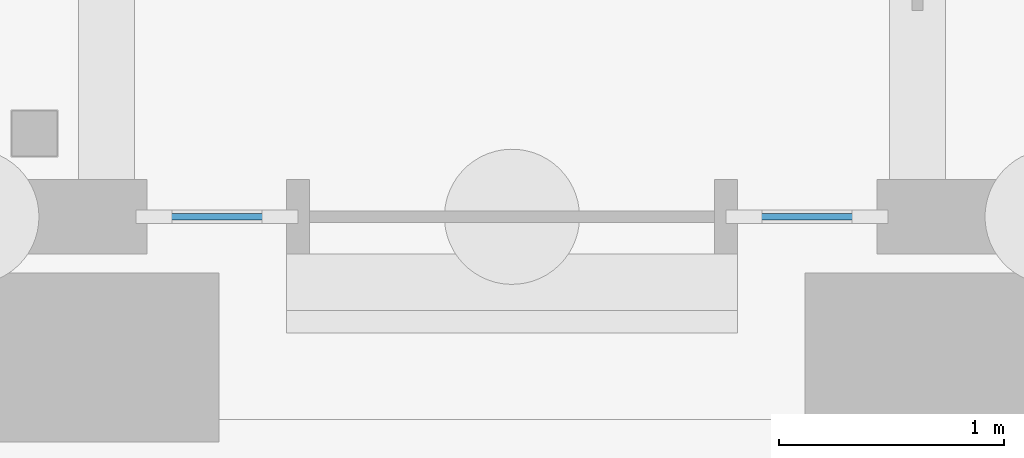
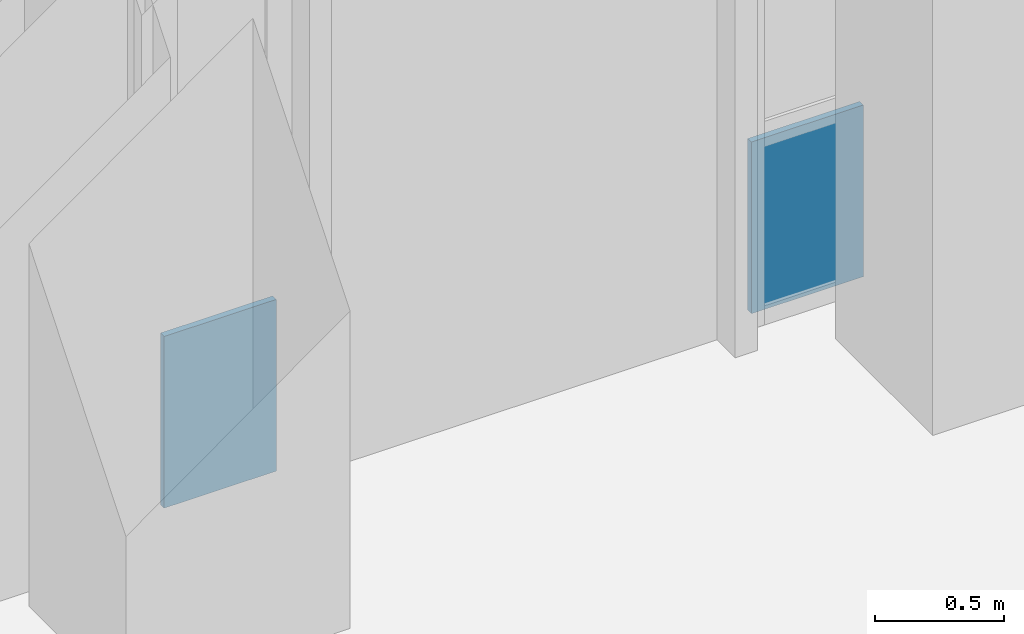
# One storey, part 31 of 84: 2 plates, 2 elements without a shape of their own.
"""IFC4 building model written with IfcOpenShell, lengths in metres."""

from ifc_helpers import new_model, si_unit, direction, frame, origin, origin_2d, place, context, subcontext, project, spatial, rectangle, extrude, material, layer, layer_set, type_object, element, aggregate, save


model = new_model("IFC4")

# Units and contexts
model_context = context("Model", 3, precision=1e-05, world=origin(), true_north=direction((0.0, 1.0)))
body_context = subcontext(model_context, "Body", "Model", "MODEL_VIEW")
ifc_project = project(units=[si_unit("LENGTHUNIT", "METRE"), si_unit("AREAUNIT", "SQUARE_METRE"), si_unit("VOLUMEUNIT", "CUBIC_METRE"), si_unit("PLANEANGLEUNIT", "RADIAN"), si_unit("MASSUNIT", "GRAM", prefix="KILO")], contexts=[model_context])

# Site, building, storey
site_placement = place(None, origin())
site = spatial("IfcSite", under=ifc_project, at=site_placement, CompositionType="ELEMENT")
building_placement = place(site_placement, origin())
building = spatial("IfcBuilding", under=site, at=building_placement, Name="Mazhai Court Health Centre", CompositionType="ELEMENT")
storey_placement = place(building_placement, origin())
storey = spatial("IfcBuildingStorey", under=building, at=storey_placement, Name="L00", CompositionType="ELEMENT", Elevation=0.0)

# Curtain wall, plate
ifc_material_1 = material(Name="Teak timber frame, glazed", Category="wood")
ifc_layer_1 = layer(ifc_material_1, 0.10009765625)
ifc_layer_set_1 = layer_set([ifc_layer_1], Name="CURTAIN WALL TIMBER 620")
curtain_wall_type = type_object("IfcCurtainWallType", Name="CURTAIN WALL TIMBER 620", PredefinedType="NOTDEFINED", material=ifc_layer_set_1)
curtain_wall_1_placement = place(storey_placement, origin())
curtain_wall_1 = element("IfcCurtainWall", 1, at=curtain_wall_1_placement, inside=storey, type_object=curtain_wall_type, Name="CW-V6-L00-SSL1", PredefinedType="NOTDEFINED")
ifc_material_2 = material(Name="Glass IGU 28 mm", Category="glass")
ifc_layer_2 = layer(ifc_material_2, 0.028076171875)
ifc_layer_set_2 = layer_set([ifc_layer_2], Name="CW PANEL IGU 28")
plate_type = type_object("IfcPlateType", Name="CW PANEL IGU 28", PredefinedType="CURTAIN_PANEL", material=ifc_layer_set_2)
plate_1_placement = place(storey_placement, frame((141.68994140625, 6.199951171875, 0.06005859375), z_axis=(0.0, 0.0, 1.0), x_axis=(-1.0, 0.0, 0.0)))
plate_1 = element("IfcPlate", 2, at=plate_1_placement, type_object=plate_type, Name="CW panel 1.1", PredefinedType="CURTAIN_PANEL", context=body_context, shape_type="SweptSolid", body=[
    extrude(rectangle(XDim=0.5, YDim=0.028076171875, at=origin_2d()), origin(), (0.0, 0.0, 1.0), 0.81005859375),
])
aggregate(curtain_wall_1, [plate_1])

curtain_wall_2_placement = place(storey_placement, origin())
curtain_wall_2 = element("IfcCurtainWall", 3, at=curtain_wall_2_placement, inside=storey, type_object=curtain_wall_type, Name="CW-V6-L00-SSL2", PredefinedType="NOTDEFINED")
plate_2_placement = place(storey_placement, frame((144.31005859375, 6.199951171875, 0.06005859375), z_axis=(0.0, 0.0, 1.0), x_axis=(-1.0, 0.0, 0.0)))
plate_2 = element("IfcPlate", 4, at=plate_2_placement, type_object=plate_type, Name="CW panel 1.1", PredefinedType="CURTAIN_PANEL", context=body_context, shape_type="SweptSolid", body=[
    extrude(rectangle(XDim=0.5, YDim=0.028076171875, at=origin_2d()), origin(), (0.0, 0.0, 1.0), 0.81005859375),
])
aggregate(curtain_wall_2, [plate_2])

save(model, "model.ifc")
